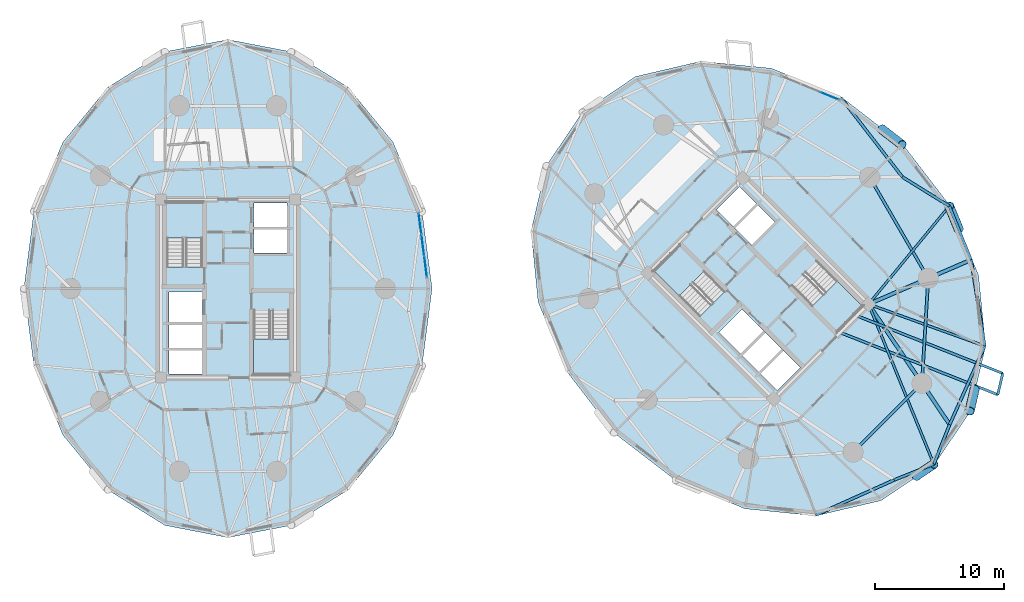
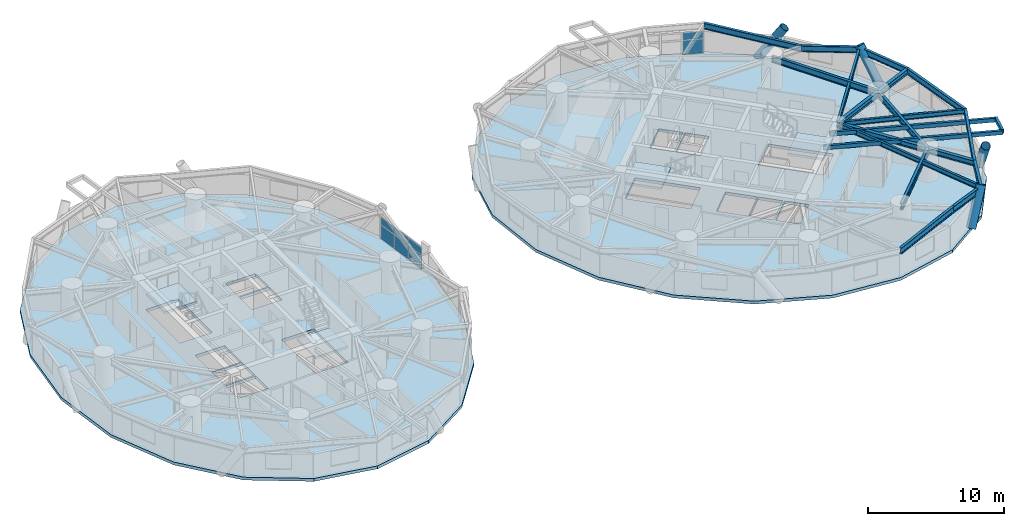
# One storey, part 8 of 18: 19 beams, 8 plates, 6 slabs, 4 members, 6 elements without a shape of their own.
"""IFC4 building model written with IfcOpenShell, lengths in metres."""

from ifc_helpers import new_model, si_unit, direction, frame, origin, origin_2d, place, context, subcontext, project, spatial, polyline, rectangle, hollow_rectangle, hollow_circle, i_section, outline, extrude, source, transform, mapped, material, layer, layer_set, material_profile, profile_set, type_object, element, aggregate, save


model = new_model("IFC4")

# Units and contexts
model_context = context("Model", 3, precision=1e-05, world=origin(), true_north=direction((0.0, 1.0)))
body_context = subcontext(model_context, "Body", "Model", "MODEL_VIEW")
ifc_project = project(units=[si_unit("LENGTHUNIT", "METRE"), si_unit("AREAUNIT", "SQUARE_METRE"), si_unit("VOLUMEUNIT", "CUBIC_METRE"), si_unit("PLANEANGLEUNIT", "RADIAN"), si_unit("MASSUNIT", "GRAM", prefix="KILO")], contexts=[model_context])

# Site, building, storey
site_placement = place(None, origin())
site = spatial("IfcSite", under=ifc_project, at=site_placement, CompositionType="ELEMENT")
building_placement = place(site_placement, origin())
building = spatial("IfcBuilding", under=site, at=building_placement, Name="Cununo Teusaquillo Station Towers", CompositionType="ELEMENT")
storey_placement = place(building_placement, frame((0.0, 0.0, 36.550048828125)))
storey = spatial("IfcBuildingStorey", under=building, at=storey_placement, Name="L10", CompositionType="ELEMENT", Elevation=36.550048828125)

# Beams
ifc_material_1 = material(Name="Steel EN 10025-2 S355J2", Category="steel")
ifc_material_profile_1 = material_profile(ifc_material_1, hollow_rectangle(XDim=0.199951171875, YDim=0.35009765625, WallThickness=0.013916015625, at=origin_2d()), Name="RHS 350x200x14")
ifc_profile_set_1 = profile_set([ifc_material_profile_1], Name="Steel EN 10025-2 S355J2")
beam_type_1 = type_object("IfcBeamType", Name="BM-BAL-CANT", PredefinedType="BEAM", material=ifc_profile_set_1)
beam_1_placement = place(storey_placement, frame((63.5986328125, 21.194091796875, 2.474853515625), z_axis=(0.930244165178, -0.366941130364, 0.0), x_axis=(0.366941130364, 0.930244165178, 0.0)))
element("IfcBeam", 1, at=beam_1_placement, inside=storey, type_object=beam_type_1, Name="L10 Tower B Balcony Cantilever Bracket 2A", PredefinedType="BEAM", context=body_context, shape_type="SweptSolid", body=[
    extrude(hollow_rectangle(XDim=0.199951171875, YDim=0.35009765625, WallThickness=0.013916015625, at=origin_2d()), origin(), (0.0, 0.0, 1.0), 13.342041015625),
])
beam_2_placement = place(storey_placement, frame((64.889892578125, 22.4853515625, 2.474853515625), z_axis=(0.930240000393, -0.366951688467, 0.0), x_axis=(0.366951688467, 0.930240000393, 0.0)))
element("IfcBeam", 2, at=beam_2_placement, inside=storey, type_object=beam_type_1, Name="L10 Tower B Balcony Cantilever Bracket 2B", PredefinedType="BEAM", context=body_context, shape_type="SweptSolid", body=[
    extrude(hollow_rectangle(XDim=0.199951171875, YDim=0.35009765625, WallThickness=0.013916015625, at=origin_2d()), origin(), (0.0, 0.0, 1.0), 12.36767578125),
])
ifc_material_2 = material(Name="Steel ASTM A572 Grade 50", Category="steel")
ifc_material_profile_2 = material_profile(ifc_material_2, i_section(OverallWidth=0.180908203125, OverallDepth=0.4169921875, WebThickness=0.010986328125, FlangeThickness=0.018310546875, FilletRadius=0.012939453125, at=origin_2d()), Name="W16X57")
ifc_profile_set_2 = profile_set([ifc_material_profile_2], Name="Steel ASTM A572 Grade 50")
beam_type_2 = type_object("IfcBeamType", Name="BM-JOIST-1", PredefinedType="JOIST", material=ifc_profile_set_2)
beam_3_placement = place(storey_placement, frame((66.024169921875, 23.29443359375, 2.44140625), z_axis=(0.377815437796, -0.92588092915, 0.0), x_axis=(0.92588092915, 0.377815437796, 0.0)))
element("IfcBeam", 3, at=beam_3_placement, inside=storey, type_object=beam_type_2, Name="L10 Tower B Radial Spandrel Joist V15", PredefinedType="JOIST", context=body_context, shape_type="SweptSolid", body=[
    extrude(i_section(OverallWidth=0.180908203125, OverallDepth=0.4169921875, WebThickness=0.010986328125, FlangeThickness=0.018310546875, FilletRadius=0.012939453125, at=origin_2d()), origin(), (0.0, 0.0, 1.0), 13.353515625),
])
beam_4_placement = place(storey_placement, frame((66.024169921875, 23.29443359375, 2.44140625), z_axis=(0.940761914171, -0.33906787056, 0.0), x_axis=(0.33906787056, 0.940761914171, 0.0)))
element("IfcBeam", 4, at=beam_4_placement, inside=storey, type_object=beam_type_2, Name="L10 Tower B Radial Spandrel Joist V17", PredefinedType="JOIST", context=body_context, shape_type="SweptSolid", body=[
    extrude(i_section(OverallWidth=0.180908203125, OverallDepth=0.4169921875, WebThickness=0.010986328125, FlangeThickness=0.018310546875, FilletRadius=0.012939453125, at=origin_2d()), origin(), (0.0, 0.0, 1.0), 9.552734375),
])
beam_5_placement = place(storey_placement, frame((66.024169921875, 23.29443359375, 2.44140625), z_axis=(0.635389148475, 0.772192093976, 0.0), x_axis=(-0.772192093976, 0.635389148475, 0.0)))
element("IfcBeam", 5, at=beam_5_placement, inside=storey, type_object=beam_type_2, Name="L10 Tower B Radial Spandrel Joist V19", PredefinedType="JOIST", context=body_context, shape_type="SweptSolid", body=[
    extrude(i_section(OverallWidth=0.180908203125, OverallDepth=0.4169921875, WebThickness=0.010986328125, FlangeThickness=0.018310546875, FilletRadius=0.012939453125, at=origin_2d()), origin(), (0.0, 0.0, 1.0), 9.82080078125),
])
ifc_material_3 = material(Name="Steel ASTM A572 Grade 50", Category="steel")
ifc_material_profile_3 = material_profile(ifc_material_3, i_section(OverallWidth=0.280029296875, OverallDepth=0.462890625, WebThickness=0.0107421875, FlangeThickness=0.017333984375, FilletRadius=0.013916015625, at=origin_2d()), Name="W18X76")
ifc_profile_set_3 = profile_set([ifc_material_profile_3], Name="Steel ASTM A572 Grade 50")
beam_type_3 = type_object("IfcBeamType", Name="BM-RAD-G1", PredefinedType="BEAM", material=ifc_profile_set_3)
beam_6_placement = place(storey_placement, frame((66.024169921875, 23.29443359375, 2.41845703125), z_axis=(0.558565249978, -0.829460584667, 0.0), x_axis=(0.829460584667, 0.558565249978, 0.0)))
element("IfcBeam", 6, at=beam_6_placement, inside=storey, type_object=beam_type_3, Name="L10 Tower B Continuous Overhanging Radial Girder 09", PredefinedType="BEAM", context=body_context, shape_type="SweptSolid", body=[
    extrude(i_section(OverallWidth=0.280029296875, OverallDepth=0.462890625, WebThickness=0.0107421875, FlangeThickness=0.017333984375, FilletRadius=0.013916015625, at=origin_2d()), origin(), (0.0, 0.0, 1.0), 11.22119140625),
])
beam_7_placement = place(storey_placement, frame((66.024169921875, 23.29443359375, 2.41845703125), z_axis=(0.91765947108, 0.397367707718, 0.0), x_axis=(-0.397367707718, 0.91765947108, 0.0)))
element("IfcBeam", 7, at=beam_7_placement, inside=storey, type_object=beam_type_3, Name="L10 Tower B Continuous Overhanging Radial Girder 10", PredefinedType="BEAM", context=body_context, shape_type="SweptSolid", body=[
    extrude(i_section(OverallWidth=0.280029296875, OverallDepth=0.462890625, WebThickness=0.0107421875, FlangeThickness=0.017333984375, FilletRadius=0.013916015625, at=origin_2d()), origin(), (0.0, 0.0, 1.0), 8.631591796875),
])
ifc_material_4 = material(Name="Steel ASTM A572 Grade 50", Category="steel")
ifc_material_profile_4 = material_profile(ifc_material_4, i_section(OverallWidth=0.214111328125, OverallDepth=0.549072265625, WebThickness=0.0146484375, FlangeThickness=0.023681640625, FilletRadius=0.014892578125, at=origin_2d()), Name="W21X93")
ifc_profile_set_4 = profile_set([ifc_material_profile_4], Name="Steel ASTM A572 Grade 50")
beam_type_4 = type_object("IfcBeamType", Name="BM-RING-Z1", PredefinedType="SPANDREL", material=ifc_profile_set_4)
beam_8_placement = place(storey_placement, frame((64.826904296875, 11.853759765625, 2.37548828125), z_axis=(0.707106781187, 0.707106781187, 0.0), x_axis=(-0.707106781187, 0.707106781187, 0.0)))
element("IfcBeam", 8, at=beam_8_placement, inside=storey, type_object=beam_type_4, Name="L10 Tower B Structural Column Ring Girder 08", PredefinedType="SPANDREL", context=body_context, shape_type="SweptSolid", body=[
    extrude(i_section(OverallWidth=0.214111328125, OverallDepth=0.549072265625, WebThickness=0.0146484375, FlangeThickness=0.023681640625, FilletRadius=0.014892578125, at=origin_2d()), origin(), (0.0, 0.0, 1.0), 7.522705078125),
])
beam_9_placement = place(storey_placement, frame((70.146240234375, 17.173095703125, 2.37548828125), z_axis=(0.06012979176, 0.998190567048, 0.0), x_axis=(-0.998190567048, 0.06012979176, 0.0)))
element("IfcBeam", 9, at=beam_9_placement, inside=storey, type_object=beam_type_4, Name="L10 Tower B Structural Column Ring Girder 09", PredefinedType="SPANDREL", context=body_context, shape_type="SweptSolid", body=[
    extrude(i_section(OverallWidth=0.214111328125, OverallDepth=0.549072265625, WebThickness=0.0146484375, FlangeThickness=0.023681640625, FilletRadius=0.014892578125, at=origin_2d()), origin(), (0.0, 0.0, 1.0), 8.132568359375),
])
beam_10_placement = place(storey_placement, frame((70.63525390625, 25.291015625, 2.37548828125), z_axis=(-0.501311121078, 0.865267103202, 0.0), x_axis=(-0.865267103202, -0.501311121078, 0.0)))
element("IfcBeam", 10, at=beam_10_placement, inside=storey, type_object=beam_type_4, Name="L10 Tower B Structural Column Ring Girder 10", PredefinedType="SPANDREL", context=body_context, shape_type="SweptSolid", body=[
    extrude(i_section(OverallWidth=0.214111328125, OverallDepth=0.549072265625, WebThickness=0.0146484375, FlangeThickness=0.023681640625, FilletRadius=0.014892578125, at=origin_2d()), origin(), (0.0, 0.0, 1.0), 9.032958984375),
])
beam_11_placement = place(storey_placement, frame((68.635986328125, 33.12841796875, 2.37548828125), z_axis=(-0.612801480015, 0.790236892388, 0.0), x_axis=(-0.790236892388, -0.612801480015, 0.0)))
element("IfcBeam", 11, at=beam_11_placement, inside=storey, type_object=beam_type_4, Name="L10 Tower B Spandrel Ring Beam 01", PredefinedType="SPANDREL", context=body_context, shape_type="SweptSolid", body=[
    extrude(i_section(OverallWidth=0.214111328125, OverallDepth=0.549072265625, WebThickness=0.0146484375, FlangeThickness=0.023681640625, FilletRadius=0.014892578125, at=origin_2d()), origin(), (0.0, 0.0, 1.0), 7.764404296875),
])
beam_12_placement = place(storey_placement, frame((61.944580078125, 6.989013671875, 2.37548828125), z_axis=(0.912588695836, 0.408878798951, 0.0), x_axis=(-0.408878798951, 0.912588695836, 0.0)))
element("IfcBeam", 12, at=beam_12_placement, inside=storey, type_object=beam_type_4, Name="L10 Tower B Spandrel Ring Beam 14", PredefinedType="SPANDREL", context=body_context, shape_type="SweptSolid", body=[
    extrude(i_section(OverallWidth=0.214111328125, OverallDepth=0.549072265625, WebThickness=0.0146484375, FlangeThickness=0.023681640625, FilletRadius=0.014892578125, at=origin_2d()), origin(), (0.0, 0.0, 1.0), 6.64990234375),
])
for number, where, z_axis, x_axis, name in (
    (13, (68.01318359375, 9.7080078125, 2.37548828125), (0.928456228871, 0.371441827304, 0.0), (-0.371441827304, 0.928456228871, 0.0), "L10 Tower B Spandrel Ring Beam 15"),
    (14, (71.0693359375, 10.9306640625, 2.37548828125), (0.371441827304, 0.928456228871, 0.0), (-0.928456228871, 0.371441827304, 0.0), "L10 Tower B Spandrel Ring Beam 16"),
):
    element("IfcBeam", number, at=place(storey_placement, frame(where, z_axis=z_axis, x_axis=x_axis)), inside=storey, type_object=beam_type_4, Name=name, PredefinedType="SPANDREL", context=body_context, shape_type="SweptSolid", body=[
        extrude(i_section(OverallWidth=0.214111328125, OverallDepth=0.549072265625, WebThickness=0.0146484375, FlangeThickness=0.023681640625, FilletRadius=0.014892578125, at=origin_2d()), origin(), (0.0, 0.0, 1.0), 3.291748046875),
    ])
beam_13_placement = place(storey_placement, frame((72.2919921875, 13.98681640625, 2.37548828125), z_axis=(0.408878798951, 0.912588695836, 0.0), x_axis=(-0.912588695836, 0.408878798951, 0.0)))
element("IfcBeam", 15, at=beam_13_placement, inside=storey, type_object=beam_type_4, Name="L10 Tower B Spandrel Ring Beam 17", PredefinedType="SPANDREL", context=body_context, shape_type="SweptSolid", body=[
    extrude(i_section(OverallWidth=0.214111328125, OverallDepth=0.549072265625, WebThickness=0.0146484375, FlangeThickness=0.023681640625, FilletRadius=0.014892578125, at=origin_2d()), origin(), (0.0, 0.0, 1.0), 6.64990234375),
])
beam_14_placement = place(storey_placement, frame((75.010986328125, 20.055419921875, 2.37548828125), z_axis=(-0.157829770834, 0.987466335344, 0.0), x_axis=(-0.987466335344, -0.157829770834, 0.0)))
element("IfcBeam", 16, at=beam_14_placement, inside=storey, type_object=beam_type_4, Name="L10 Tower B Spandrel Ring Beam 18", PredefinedType="SPANDREL", context=body_context, shape_type="SweptSolid", body=[
    extrude(i_section(OverallWidth=0.214111328125, OverallDepth=0.549072265625, WebThickness=0.0146484375, FlangeThickness=0.023681640625, FilletRadius=0.014892578125, at=origin_2d()), origin(), (0.0, 0.0, 1.0), 6.753662109375),
])
beam_15_placement = place(storey_placement, frame((73.945068359375, 26.724365234375, 2.37548828125), z_axis=(-0.375135909025, 0.926969821386, 0.0), x_axis=(-0.926969821386, -0.375135909025, 0.0)))
element("IfcBeam", 17, at=beam_15_placement, inside=storey, type_object=beam_type_4, Name="L10 Tower B Spandrel Ring Beam 19", PredefinedType="SPANDREL", context=body_context, shape_type="SweptSolid", body=[
    extrude(i_section(OverallWidth=0.214111328125, OverallDepth=0.549072265625, WebThickness=0.0146484375, FlangeThickness=0.023681640625, FilletRadius=0.014892578125, at=origin_2d()), origin(), (0.0, 0.0, 1.0), 4.480712890625),
])
beam_16_placement = place(storey_placement, frame((72.26416015625, 30.8779296875, 2.37548828125), z_axis=(-0.849795627585, 0.527112313779, 0.0), x_axis=(-0.527112313779, -0.849795627585, 0.0)))
element("IfcBeam", 18, at=beam_16_placement, inside=storey, type_object=beam_type_4, Name="L10 Tower B Spandrel Ring Beam 20", PredefinedType="SPANDREL", context=body_context, shape_type="SweptSolid", body=[
    extrude(i_section(OverallWidth=0.214111328125, OverallDepth=0.549072265625, WebThickness=0.0146484375, FlangeThickness=0.023681640625, FilletRadius=0.014892578125, at=origin_2d()), origin(), (0.0, 0.0, 1.0), 4.26953125),
])
ifc_material_5 = material(Name="Steel EN 10025-2 S355J2", Category="steel")
ifc_material_profile_5 = material_profile(ifc_material_5, hollow_rectangle(XDim=0.199951171875, YDim=0.35009765625, WallThickness=0.013916015625, at=origin_2d()), Name="RHS 350x200x14")
ifc_profile_set_5 = profile_set([ifc_material_profile_5], Name="Steel EN 10025-2 S355J2")
beam_type_5 = type_object("IfcBeamType", Name="BM-STAIR-TRIM", PredefinedType="BEAM", material=ifc_profile_set_5)
beam_17_placement = place(storey_placement, frame((76.010009765625, 16.29833984375, 2.52490234375), z_axis=(0.227270643814, 0.973831635582, 0.0), x_axis=(-0.973831635582, 0.227270643814, 0.0)))
element("IfcBeam", 19, at=beam_17_placement, inside=storey, type_object=beam_type_5, Name="L10 Tower B Balcony Edge Trimmer Beam 2", PredefinedType="BEAM", context=body_context, shape_type="SweptSolid", body=[
    extrude(hollow_rectangle(XDim=0.199951171875, YDim=0.35009765625, WallThickness=0.013916015625, at=origin_2d()), origin(), (0.0, 0.0, 1.0), 1.69287109375),
])

# Members
ifc_material_6 = material(Name="Steel EN 10025-2 S355J2", Category="steel")
ifc_material_profile_6 = material_profile(ifc_material_6, hollow_circle(Radius=0.360107421875, WallThickness=0.028076171875, at=origin_2d()), Name="CHS 720x28")
ifc_profile_set_6 = profile_set([ifc_material_profile_6], Name="Steel EN 10025-2 S355J2")
member_type = type_object("IfcMemberType", Name="MBR-DIAG-Z1", PredefinedType="BRACE", material=ifc_profile_set_6)
member_1_placement = place(storey_placement, frame((67.035888671875, 36.831298828125, -0.14013671875), z_axis=(0.447677588361, -0.344825254362, 0.825033527097), x_axis=(0.610219698676, 0.792232238266, 0.0)))
element("IfcMember", 20, at=member_1_placement, inside=storey, type_object=member_type, Name="L10 Tower B Folded-Zigzag Diagrid Tube C00", PredefinedType="BRACE", context=body_context, shape_type="SweptSolid", body=[
    extrude(hollow_circle(Radius=0.360107421875, WallThickness=0.028076171875, at=origin_2d()), origin(), (0.0, 0.0, 1.0), 3.52734375),
])
member_2_placement = place(storey_placement, frame((69.703125, 10.007080078125, -0.14013671875), z_axis=(0.408442449237, 0.276114686466, 0.870020370784), x_axis=(-0.560052437376, 0.828457160866, 0.0)))
element("IfcMember", 21, at=member_2_placement, inside=storey, type_object=member_type, Name="L10 Tower B Folded-Zigzag Diagrid Tube C14", PredefinedType="BRACE", context=body_context, shape_type="SweptSolid", body=[
    extrude(hollow_circle(Radius=0.360107421875, WallThickness=0.028076171875, at=origin_2d()), origin(), (0.0, 0.0, 1.0), 3.344970703125),
])
member_3_placement = place(storey_placement, frame((74.23046875, 16.70458984375, -0.14013671875), z_axis=(-0.115479036087, -0.495570447549, 0.860856854384), x_axis=(0.97390816807, -0.226942460033, 0.0)))
element("IfcMember", 22, at=member_3_placement, inside=storey, type_object=member_type, Name="L10 Tower B Folded-Zigzag Diagrid Tube C16", PredefinedType="BRACE", context=body_context, shape_type="SweptSolid", body=[
    extrude(hollow_circle(Radius=0.360107421875, WallThickness=0.028076171875, at=origin_2d()), origin(), (0.0, 0.0, 1.0), 3.380615234375),
])
member_4_placement = place(storey_placement, frame((72.998779296875, 29.0908203125, -0.14013671875), z_axis=(-0.210299865746, 0.511596881774, 0.833092189993), x_axis=(-0.924905593279, -0.380196848385, 0.0)))
element("IfcMember", 23, at=member_4_placement, inside=storey, type_object=member_type, Name="L10 Tower B Folded-Zigzag Diagrid Tube C18", PredefinedType="BRACE", context=body_context, shape_type="SweptSolid", body=[
    extrude(hollow_circle(Radius=0.360107421875, WallThickness=0.028076171875, at=origin_2d()), origin(), (0.0, 0.0, 1.0), 3.4931640625),
])

# Stair, slab
ifc_material_7 = material(Name="Concrete C50/60", Category="concrete")
stair_type = type_object("IfcStairType", Name="ST-TWR-1300", PredefinedType="HALF_TURN_STAIR", material=ifc_material_7)
stair_1_placement = place(storey_placement, origin())
stair_1 = element("IfcStair", 24, at=stair_1_placement, inside=storey, type_object=stair_type, Name="L10 Tower A Protected Core Exit Stair 1", PredefinedType="HALF_TURN_STAIR")
ifc_material_8 = material(Name="Concrete C50/60", Category="concrete")
ifc_layer_1 = layer(ifc_material_8, 0.199951171875)
ifc_layer_set_1 = layer_set([ifc_layer_1], Name="Concrete C50/60")
slab_type_1 = type_object("IfcSlabType", Name="SLB-STAIR-LND", PredefinedType="LANDING", material=ifc_layer_set_1)
slab_1_placement = place(storey_placement, frame((0.0, 0.0, 1.2548828125)))
slab_1 = element("IfcSlab", 25, at=slab_1_placement, type_object=slab_type_1, Name="ST-T1-1 landing 1", PredefinedType="LANDING", context=body_context, shape_type="SweptSolid", body=[
    extrude(outline(polyline([(14.52001953125, 28.409912109375), (14.52001953125, 31.159912109375), (11.760009765625, 31.159912109375), (11.760009765625, 28.409912109375), (14.52001953125, 28.409912109375)])), origin(), (0.0, 0.0, 1.0), 0.199951171875),
])
aggregate(stair_1, [slab_1])

stair_2_placement = place(storey_placement, origin())
stair_2 = element("IfcStair", 26, at=stair_2_placement, inside=storey, type_object=stair_type, Name="L10 Tower A Protected Core Exit Stair 2", PredefinedType="HALF_TURN_STAIR")
slab_2_placement = place(storey_placement, frame((0.0, 0.0, 1.2548828125)))
slab_2 = element("IfcSlab", 27, at=slab_2_placement, type_object=slab_type_1, Name="ST-T1-2 landing 1", PredefinedType="LANDING", context=body_context, shape_type="SweptSolid", body=[
    extrude(outline(polyline([(18.47998046875, 20.590087890625), (18.47998046875, 17.840087890625), (21.239990234375, 17.840087890625), (21.239990234375, 20.590087890625), (18.47998046875, 20.590087890625)])), origin(), (0.0, 0.0, 1.0), 0.199951171875),
])
aggregate(stair_2, [slab_2])

stair_3_placement = place(storey_placement, origin())
stair_3 = element("IfcStair", 28, at=stair_3_placement, inside=storey, type_object=stair_type, Name="L10 Tower B Protected Core Exit Stair 1", PredefinedType="HALF_TURN_STAIR")
slab_3_placement = place(storey_placement, frame((0.0, 0.0, 1.2548828125)))
slab_3 = element("IfcSlab", 29, at=slab_3_placement, type_object=slab_type_1, Name="ST-T2-1 landing 1", PredefinedType="LANDING", context=body_context, shape_type="SweptSolid", body=[
    extrude(outline(polyline([(53.335205078125, 25.86474609375), (51.390625, 27.809326171875), (49.43896484375, 25.857666015625), (51.383544921875, 23.9130859375), (53.335205078125, 25.86474609375)])), origin(), (0.0, 0.0, 1.0), 0.199951171875),
])
aggregate(stair_3, [slab_3])

stair_4_placement = place(storey_placement, origin())
stair_4 = element("IfcStair", 30, at=stair_4_placement, inside=storey, type_object=stair_type, Name="L10 Tower B Protected Core Exit Stair 2", PredefinedType="HALF_TURN_STAIR")
slab_4_placement = place(storey_placement, frame((0.0, 0.0, 1.2548828125)))
slab_4 = element("IfcSlab", 31, at=slab_4_placement, type_object=slab_type_1, Name="ST-T2-2 landing 1", PredefinedType="LANDING", context=body_context, shape_type="SweptSolid", body=[
    extrude(outline(polyline([(61.664794921875, 23.13525390625), (63.609375, 21.190673828125), (65.56103515625, 23.142333984375), (63.616455078125, 25.0869140625), (61.664794921875, 23.13525390625)])), origin(), (0.0, 0.0, 1.0), 0.199951171875),
])
aggregate(stair_4, [slab_4])

# Slabs
ifc_material_9 = material(Name="Concrete C50/60", Category="concrete")
ifc_layer_2 = layer(ifc_material_9, 0.260009765625)
ifc_layer_set_2 = layer_set([ifc_layer_2], Name="Concrete C50/60")
slab_type_2 = type_object("IfcSlabType", Name="SLB-Z1-260", PredefinedType="FLOOR", material=ifc_layer_set_2)
slab_5_placement = place(storey_placement, frame((0.0, 0.0, -0.260009765625)))
element("IfcSlab", 32, at=slab_5_placement, inside=storey, type_object=slab_type_2, Name="L10 Tower A Floor Slab", PredefinedType="FLOOR", context=body_context, shape_type="SweptSolid", body=[
    extrude(outline(polyline([(32.279052734375, 24.5), (31.506591796875, 30.448486328125), (29.265380859375, 35.81494140625), (25.774658203125, 40.073486328125), (21.3759765625, 42.807861328125), (16.5, 43.75), (11.6240234375, 42.807861328125), (7.225341796875, 40.073486328125), (3.734619140625, 35.81494140625), (1.493408203125, 30.448486328125), (0.720947265625, 24.5), (1.493408203125, 18.551513671875), (3.734619140625, 13.18505859375), (7.225341796875, 8.926513671875), (11.6240234375, 6.192138671875), (16.5, 5.25), (21.3759765625, 6.192138671875), (25.774658203125, 8.926513671875), (29.265380859375, 13.18505859375), (31.506591796875, 18.551513671875), (32.279052734375, 24.5)]), holes=[polyline([(14.52001953125, 26.176025390625), (14.52001953125, 31.159912109375), (11.760009765625, 31.159912109375), (11.760009765625, 26.176025390625), (14.52001953125, 26.176025390625)]), polyline([(18.47998046875, 22.823974609375), (18.47998046875, 17.840087890625), (21.239990234375, 17.840087890625), (21.239990234375, 22.823974609375), (18.47998046875, 22.823974609375)]), polyline([(11.949951171875, 21.85009765625), (14.47998046875, 21.85009765625), (14.47998046875, 24.25), (11.949951171875, 24.25), (11.949951171875, 21.85009765625)]), polyline([(11.949951171875, 17.89990234375), (14.47998046875, 17.89990234375), (14.47998046875, 19.75), (11.949951171875, 19.75), (11.949951171875, 17.89990234375)]), polyline([(11.949951171875, 19.89990234375), (14.47998046875, 19.89990234375), (14.47998046875, 21.75), (11.949951171875, 21.75), (11.949951171875, 19.89990234375)]), polyline([(18.52001953125, 27.25), (21.050048828125, 27.25), (21.050048828125, 29.10009765625), (18.52001953125, 29.10009765625), (18.52001953125, 27.25)]), polyline([(18.52001953125, 29.25), (21.050048828125, 29.25), (21.050048828125, 31.10009765625), (18.52001953125, 31.10009765625), (18.52001953125, 29.25)])]), origin(), (0.0, 0.0, 1.0), 0.260009765625),
])
slab_6_placement = place(storey_placement, frame((0.0, 0.0, -0.260009765625)))
element("IfcSlab", 33, at=slab_6_placement, inside=storey, type_object=slab_type_2, Name="L10 Tower B Floor Slab", PredefinedType="FLOOR", context=body_context, shape_type="SweptSolid", body=[
    extrude(outline(polyline([(68.657470703125, 35.657470703125), (63.905029296875, 39.317626953125), (58.525634765625, 41.52734375), (53.0458984375, 42.0703125), (48.002197265625, 40.893310546875), (43.88818359375, 38.11181640625), (41.106689453125, 33.997802734375), (39.9296875, 28.9541015625), (40.47265625, 23.474365234375), (42.682373046875, 18.094970703125), (46.342529296875, 13.342529296875), (51.094970703125, 9.682373046875), (56.474365234375, 7.47265625), (61.9541015625, 6.9296875), (66.997802734375, 8.106689453125), (71.11181640625, 10.88818359375), (73.893310546875, 15.002197265625), (75.0703125, 20.0458984375), (74.52734375, 25.525634765625), (72.317626953125, 30.905029296875), (68.657470703125, 35.657470703125)]), holes=[polyline([(54.914794921875, 24.28515625), (51.390625, 27.809326171875), (49.43896484375, 25.857666015625), (52.963134765625, 22.33349609375), (54.914794921875, 24.28515625)]), polyline([(60.085205078125, 24.71484375), (63.609375, 21.190673828125), (65.56103515625, 23.142333984375), (62.036865234375, 26.66650390625), (60.085205078125, 24.71484375)]), polyline([(56.156494140625, 19.40869140625), (57.945556640625, 21.19775390625), (56.248291015625, 22.89501953125), (54.45947265625, 21.10595703125), (56.156494140625, 19.40869140625)]), polyline([(58.94970703125, 16.61572265625), (60.738525390625, 18.40478515625), (59.430419921875, 19.712890625), (57.641357421875, 17.923828125), (58.94970703125, 16.61572265625)]), polyline([(57.535400390625, 18.030029296875), (59.32421875, 19.819091796875), (58.01611328125, 21.127197265625), (56.227294921875, 19.338134765625), (57.535400390625, 18.030029296875)]), polyline([(56.98388671875, 27.872802734375), (58.772705078125, 29.661865234375), (57.464599609375, 30.969970703125), (55.67578125, 29.180908203125), (56.98388671875, 27.872802734375)]), polyline([(55.569580078125, 29.287109375), (57.358642578125, 31.076171875), (56.05029296875, 32.38427734375), (54.261474609375, 30.59521484375), (55.569580078125, 29.287109375)])]), origin(), (0.0, 0.0, 1.0), 0.260009765625),
])

# Curtain wall, plates
ifc_material_10 = material(Name="Ceramic-fritted dark low-E double glazing", Category="glass")
ifc_layer_3 = layer(ifc_material_10, 0.179931640625)
ifc_layer_set_3 = layer_set([ifc_layer_3], Name="Ceramic-fritted dark low-E double glazing")
curtain_wall_type = type_object("IfcCurtainWallType", Name="CW-SYS-02", PredefinedType="USERDEFINED", material=ifc_layer_set_3)
curtain_wall_1_placement = place(storey_placement, origin())
curtain_wall_1 = element("IfcCurtainWall", 34, at=curtain_wall_1_placement, inside=storey, type_object=curtain_wall_type, Name="L10 Tower A Facade Curtain Wall C00", ObjectType="FRITTED GLAZING", PredefinedType="USERDEFINED")
ifc_material_11 = material(Name="Ceramic-fritted dark low-E double glazing", Category="glass")
ifc_layer_4 = layer(ifc_material_11, 0.028076171875)
ifc_layer_set_4 = layer_set([ifc_layer_4], Name="Ceramic-fritted dark low-E double glazing")
plate_type = type_object("IfcPlateType", Name="CWP-FRIT-28", PredefinedType="CURTAIN_PANEL", material=ifc_layer_set_4)
shared_shape_1 = source(origin(), body_context, "Body", "SweptSolid", [
    extrude(rectangle(XDim=1.58203125, YDim=0.028076171875, at=origin_2d()), origin(), (0.0, 0.0, 1.0), 1.241943359375),
])
plate_1_placement = place(storey_placement, frame((31.350830078125, 29.50830078125, 0.06982421875), z_axis=(0.0, 0.0, 1.0), x_axis=(0.128335588771, -0.991730798481, 0.0)))
plate_1 = element("IfcPlate", 35, at=plate_1_placement, type_object=plate_type, Name="CW-02 panel 1.1", PredefinedType="CURTAIN_PANEL", context=body_context, shape_type="MappedRepresentation", body=[
    mapped(shared_shape_1, transform((0.0, 0.0, 0.0), x_axis=(1.0, 0.0, 0.0), y_axis=(0.0, 1.0, 0.0), z_axis=(0.0, 0.0, 1.0), scale=1.0)),
])
plate_2_placement = place(storey_placement, frame((31.779296875, 26.19677734375, 0.06982421875), z_axis=(0.0, 0.0, 1.0), x_axis=(0.128335588771, -0.991730798481, 0.0)))
plate_2 = element("IfcPlate", 36, at=plate_2_placement, type_object=plate_type, Name="CW-02 panel 3.1", PredefinedType="CURTAIN_PANEL", context=body_context, shape_type="MappedRepresentation", body=[
    mapped(shared_shape_1, transform((0.0, 0.0, 0.0), x_axis=(1.0, 0.0, 0.0), y_axis=(0.0, 1.0, 0.0), z_axis=(0.0, 0.0, 1.0), scale=1.0)),
])
shared_shape_2 = source(origin(), body_context, "Body", "SweptSolid", [
    extrude(rectangle(XDim=1.58203125, YDim=0.028076171875, at=origin_2d()), origin(), (0.0, 0.0, 1.0), 0.62109375),
])
plate_3_placement = place(storey_placement, frame((31.350830078125, 29.50830078125, 1.3818359375), z_axis=(0.0, 0.0, 1.0), x_axis=(0.128335588771, -0.991730798481, 0.0)))
plate_3 = element("IfcPlate", 37, at=plate_3_placement, type_object=plate_type, Name="CW-02 panel 1.2", PredefinedType="CURTAIN_PANEL", context=body_context, shape_type="MappedRepresentation", body=[
    mapped(shared_shape_2, transform((0.0, 0.0, 0.0), x_axis=(1.0, 0.0, 0.0), y_axis=(0.0, 1.0, 0.0), z_axis=(0.0, 0.0, 1.0), scale=1.0)),
])
plate_4_placement = place(storey_placement, frame((31.779296875, 26.19677734375, 1.3818359375), z_axis=(0.0, 0.0, 1.0), x_axis=(0.128335588771, -0.991730798481, 0.0)))
plate_4 = element("IfcPlate", 38, at=plate_4_placement, type_object=plate_type, Name="CW-02 panel 3.2", PredefinedType="CURTAIN_PANEL", context=body_context, shape_type="MappedRepresentation", body=[
    mapped(shared_shape_2, transform((0.0, 0.0, 0.0), x_axis=(1.0, 0.0, 0.0), y_axis=(0.0, 1.0, 0.0), z_axis=(0.0, 0.0, 1.0), scale=1.0)),
])
shared_shape_3 = source(origin(), body_context, "Body", "SweptSolid", [
    extrude(rectangle(XDim=1.616943359375, YDim=0.028076171875, at=origin_2d()), origin(), (0.0, 0.0, 1.0), 1.241943359375),
])
plate_5_placement = place(storey_placement, frame((31.565185546875, 27.8525390625, 0.06982421875), z_axis=(0.0, 0.0, 1.0), x_axis=(0.128335588771, -0.991730798481, 0.0)))
plate_5 = element("IfcPlate", 39, at=plate_5_placement, type_object=plate_type, Name="CW-02 panel 2.1", PredefinedType="CURTAIN_PANEL", context=body_context, shape_type="MappedRepresentation", body=[
    mapped(shared_shape_3, transform((0.0, 0.0, 0.0), x_axis=(1.0, 0.0, 0.0), y_axis=(0.0, 1.0, 0.0), z_axis=(0.0, 0.0, 1.0), scale=1.0)),
])
shared_shape_4 = source(origin(), body_context, "Body", "SweptSolid", [
    extrude(rectangle(XDim=1.616943359375, YDim=0.028076171875, at=origin_2d()), origin(), (0.0, 0.0, 1.0), 0.62109375),
])
plate_6_placement = place(storey_placement, frame((31.565185546875, 27.8525390625, 1.3818359375), z_axis=(0.0, 0.0, 1.0), x_axis=(0.128335588771, -0.991730798481, 0.0)))
plate_6 = element("IfcPlate", 40, at=plate_6_placement, type_object=plate_type, Name="CW-02 panel 2.2", PredefinedType="CURTAIN_PANEL", context=body_context, shape_type="MappedRepresentation", body=[
    mapped(shared_shape_4, transform((0.0, 0.0, 0.0), x_axis=(1.0, 0.0, 0.0), y_axis=(0.0, 1.0, 0.0), z_axis=(0.0, 0.0, 1.0), scale=1.0)),
])
aggregate(curtain_wall_1, [plate_1, plate_3, plate_5, plate_6, plate_2, plate_4])

curtain_wall_2_placement = place(storey_placement, origin())
curtain_wall_2 = element("IfcCurtainWall", 41, at=curtain_wall_2_placement, inside=storey, type_object=curtain_wall_type, Name="L10 Tower B Facade Curtain Wall C01", ObjectType="FRITTED GLAZING", PredefinedType="USERDEFINED")
shared_shape_5 = source(origin(), body_context, "Body", "SweptSolid", [
    extrude(rectangle(XDim=1.52099609375, YDim=0.028076171875, at=origin_2d()), origin(), (0.0, 0.0, 1.0), 1.241943359375),
])
plate_7_placement = place(storey_placement, frame((63.010009765625, 39.384765625, 0.06982421875), z_axis=(0.0, 0.0, 1.0), x_axis=(0.924552379146, -0.381054980568, 0.0)))
plate_7 = element("IfcPlate", 42, at=plate_7_placement, type_object=plate_type, Name="CW-02 panel 3.1", PredefinedType="CURTAIN_PANEL", context=body_context, shape_type="MappedRepresentation", body=[
    mapped(shared_shape_5, transform((0.0, 0.0, 0.0), x_axis=(1.0, 0.0, 0.0), y_axis=(0.0, 1.0, 0.0), z_axis=(0.0, 0.0, 1.0), scale=1.0)),
])
shared_shape_6 = source(origin(), body_context, "Body", "SweptSolid", [
    extrude(rectangle(XDim=1.52099609375, YDim=0.028076171875, at=origin_2d()), origin(), (0.0, 0.0, 1.0), 0.62109375),
])
plate_8_placement = place(storey_placement, frame((63.010009765625, 39.384765625, 1.3818359375), z_axis=(0.0, 0.0, 1.0), x_axis=(0.924552379146, -0.381054980568, 0.0)))
plate_8 = element("IfcPlate", 43, at=plate_8_placement, type_object=plate_type, Name="CW-02 panel 3.2", PredefinedType="CURTAIN_PANEL", context=body_context, shape_type="MappedRepresentation", body=[
    mapped(shared_shape_6, transform((0.0, 0.0, 0.0), x_axis=(1.0, 0.0, 0.0), y_axis=(0.0, 1.0, 0.0), z_axis=(0.0, 0.0, 1.0), scale=1.0)),
])
aggregate(curtain_wall_2, [plate_7, plate_8])

save(model, "model.ifc")
